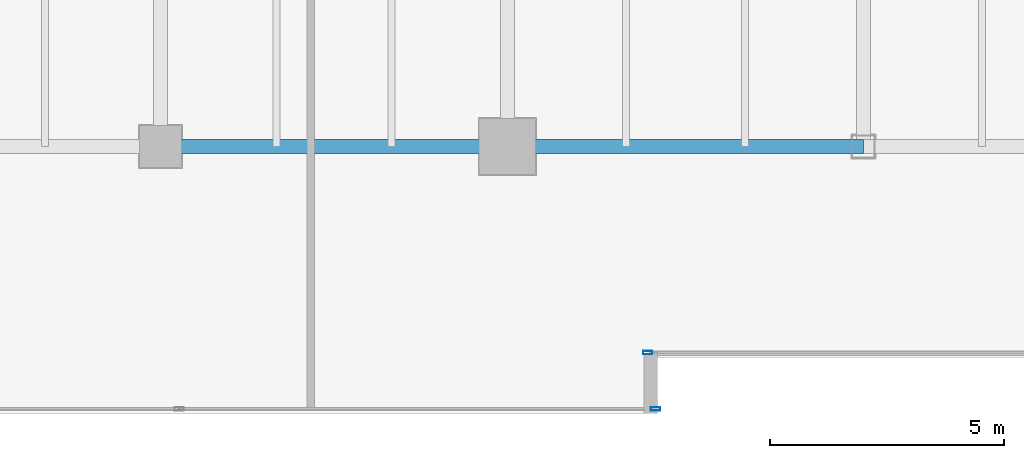
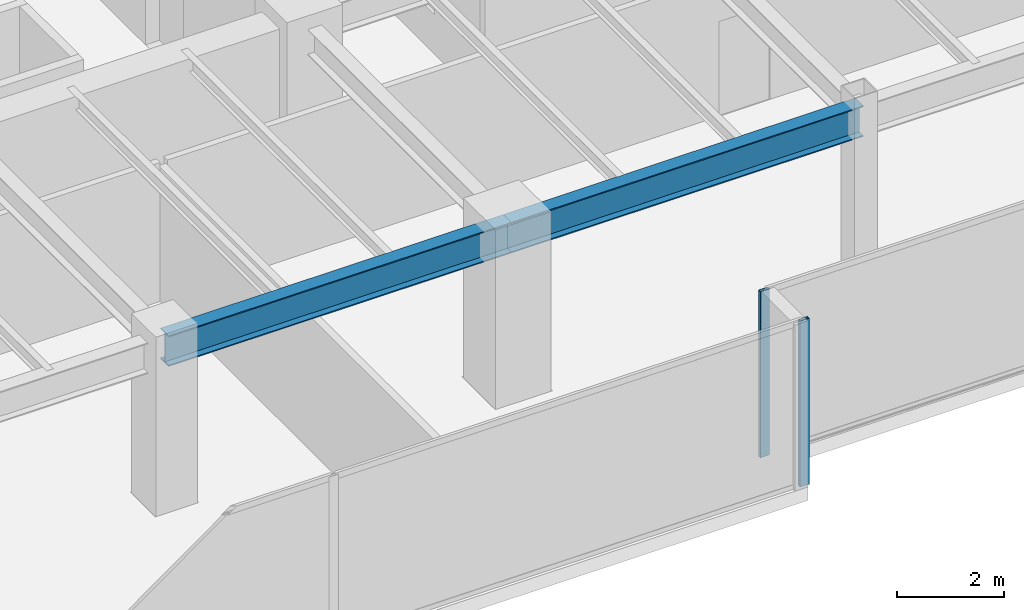
# One storey, part 4 of 33: 2 beams, 2 members, 2 elements without a shape of their own.
"""IFC4 building model written with IfcOpenShell, lengths in metres."""

from ifc_helpers import new_model, si_unit, direction, frame, origin, origin_2d, place, context, subcontext, project, spatial, hollow_rectangle, i_section, extrude, source, transform, mapped, material, layer, layer_set, material_profile, profile_set, type_object, type_shapes, element, aggregate, save


model = new_model("IFC4")

# Units and contexts
model_context = context("Model", 3, precision=1e-05, world=origin(), true_north=direction((0.0, 1.0)))
body_context = subcontext(model_context, "Body", "Model", "MODEL_VIEW")
ifc_project = project(units=[si_unit("LENGTHUNIT", "METRE"), si_unit("AREAUNIT", "SQUARE_METRE"), si_unit("VOLUMEUNIT", "CUBIC_METRE"), si_unit("PLANEANGLEUNIT", "RADIAN"), si_unit("MASSUNIT", "GRAM", prefix="KILO")], contexts=[model_context])

# Site, building, storey
site_placement = place(None, origin())
site = spatial("IfcSite", under=ifc_project, at=site_placement, CompositionType="ELEMENT")
building_placement = place(site_placement, origin())
building = spatial("IfcBuilding", under=site, at=building_placement, Name="Haelvirn Gate Laboratories", CompositionType="ELEMENT")
storey_placement = place(building_placement, frame((0.0, 0.0, 166.60009765625)))
storey = spatial("IfcBuildingStorey", under=building, at=storey_placement, Name="L40", CompositionType="ELEMENT", Elevation=166.60009765625)

# Beams
ifc_material_1 = material(Name="Steel SM355", Category="steel")
ifc_material_profile_1 = material_profile(ifc_material_1, i_section(OverallWidth=0.300048828125, OverallDepth=0.699951171875, WebThickness=0.012939453125, FlangeThickness=0.02392578125, at=origin_2d()), Name="H-700x300x13x24")
ifc_profile_set_1 = profile_set([ifc_material_profile_1], Name="Steel SM355")
beam_type = type_object("IfcBeamType", Name="BM-G-700", PredefinedType="BEAM", material=ifc_profile_set_1)
shared_shape_1 = source(origin(), body_context, "Body", "SweptSolid", [
    extrude(i_section(OverallWidth=0.300048828125, OverallDepth=0.699951171875, WebThickness=0.012939453125, FlangeThickness=0.02392578125, at=origin_2d()), origin(), (0.0, 0.0, 1.0), 7.39990234375),
])
beam_1_placement = place(storey_placement, frame((14.800048828125, 7.0, 3.43994140625), z_axis=(1.0, 0.0, 0.0), x_axis=(0.0, 1.0, 0.0)))
element("IfcBeam", 1, at=beam_1_placement, inside=storey, type_object=beam_type, Name="L40 Primary Girder Y7.0 (14.8-22.2)", PredefinedType="BEAM", context=body_context, shape_type="MappedRepresentation", body=[
    mapped(shared_shape_1, transform((0.0, 0.0, 0.0), scale=1.0)),
])
shared_shape_2 = source(origin(), body_context, "Body", "SweptSolid", [
    extrude(i_section(OverallWidth=0.300048828125, OverallDepth=0.699951171875, WebThickness=0.012939453125, FlangeThickness=0.02392578125, at=origin_2d()), origin(), (0.0, 0.0, 1.0), 7.60009765625),
])
type_shapes(beam_type, [shared_shape_1, shared_shape_2])
beam_2_placement = place(storey_placement, frame((22.199951171875, 7.0, 3.43994140625), z_axis=(1.0, 0.0, 0.0), x_axis=(0.0, 1.0, 0.0)))
element("IfcBeam", 2, at=beam_2_placement, inside=storey, type_object=beam_type, Name="L40 Primary Girder Y7.0 (22.2-29.8)", PredefinedType="BEAM", context=body_context, shape_type="MappedRepresentation", body=[
    mapped(shared_shape_2, transform((0.0, 0.0, 0.0), scale=1.0)),
])

# Curtain wall, member
ifc_material_2 = material(Name="Anodised bronze unitised aluminium & triple low-E glass", Category="aluminium")
ifc_layer = layer(ifc_material_2, 0.179931640625, Name="CW-SYS-3")
ifc_layer_set = layer_set([ifc_layer], Name="Anodised bronze unitised aluminium & triple low-E glass")
curtain_wall_type = type_object("IfcCurtainWallType", Name="CW-SYS-3", PredefinedType="NOTDEFINED", material=ifc_layer_set)
curtain_wall_1_placement = place(storey_placement, origin())
curtain_wall_1 = element("IfcCurtainWall", 3, at=curtain_wall_1_placement, inside=storey, type_object=curtain_wall_type, Name="L40 Unitised Curtain Wall CW-L40-P0-E00-1", PredefinedType="NOTDEFINED")
ifc_material_3 = material(Name="Extruded aluminium 6063-T6 (anodised bronze)", Category="aluminium")
ifc_material_profile_2 = material_profile(ifc_material_3, hollow_rectangle(XDim=0.074951171875, YDim=0.199951171875, WallThickness=0.0048828125, at=origin_2d()), Name="CWM-200x75x5")
ifc_profile_set_2 = profile_set([ifc_material_profile_2], Name="Extruded aluminium 6063-T6 (anodised bronze)")
member_type = type_object("IfcMemberType", Name="CWM-T200", PredefinedType="MULLION", material=ifc_profile_set_2)
shared_shape_3 = source(origin(), body_context, "Body", "SweptSolid", [
    extrude(hollow_rectangle(XDim=0.074951171875, YDim=0.199951171875, WallThickness=0.0048828125, at=origin_2d()), origin(), (0.0, 0.0, 1.0), 3.789794921875),
])
type_shapes(member_type, [shared_shape_3])
member_1_placement = place(storey_placement, frame((25.362548828125, 1.39990234375, 0.0), z_axis=(0.0, 0.0, 1.0), x_axis=(0.0, 1.0, 0.0)))
member_1 = element("IfcMember", 4, at=member_1_placement, type_object=member_type, Name="CW3 mullion 3", PredefinedType="MULLION", context=body_context, shape_type="MappedRepresentation", body=[
    mapped(shared_shape_3, transform((0.0, 0.0, 0.0), scale=1.0)),
])
aggregate(curtain_wall_1, [member_1])

curtain_wall_2_placement = place(storey_placement, origin())
curtain_wall_2 = element("IfcCurtainWall", 5, at=curtain_wall_2_placement, inside=storey, type_object=curtain_wall_type, Name="L40 Unitised Curtain Wall CW-L40-P0-E02-1", PredefinedType="NOTDEFINED")
member_2_placement = place(storey_placement, frame((25.197509765625, 2.60009765625, 0.0), z_axis=(0.0, 0.0, 1.0), x_axis=(0.0, 1.0, 0.0)))
member_2 = element("IfcMember", 6, at=member_2_placement, type_object=member_type, Name="CW3 mullion 1", PredefinedType="MULLION", context=body_context, shape_type="MappedRepresentation", body=[
    mapped(shared_shape_3, transform((0.0, 0.0, 0.0), scale=1.0)),
])
aggregate(curtain_wall_2, [member_2])

save(model, "model.ifc")
